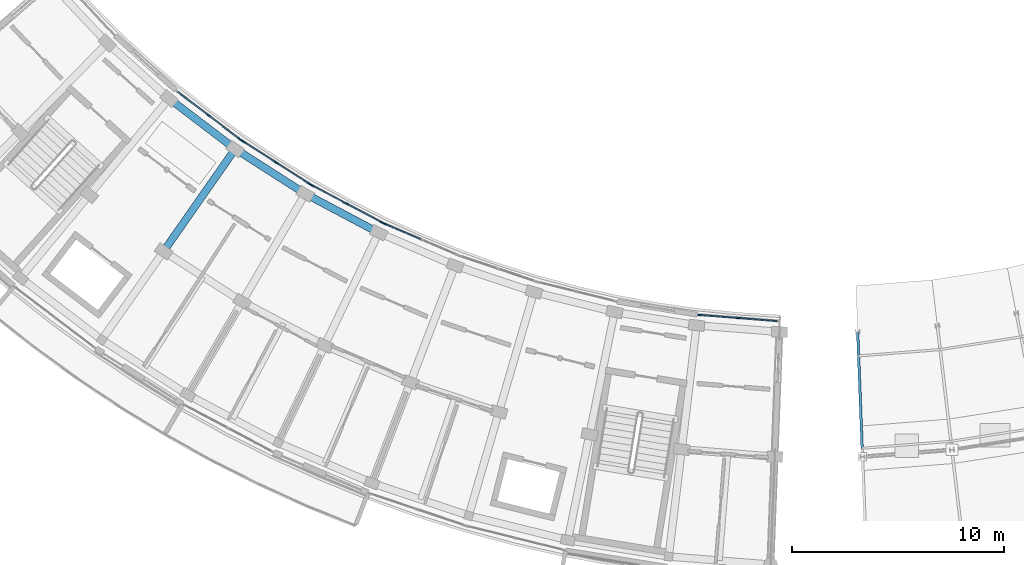
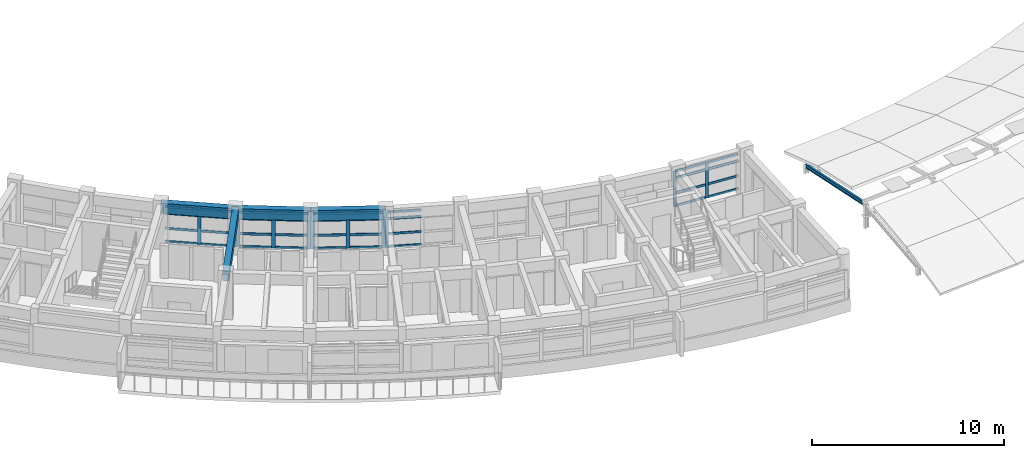
# One storey, part 18 of 50: 47 members, 5 beams, 5 elements without a shape of their own.
"""IFC4 building model written with IfcOpenShell, lengths in metres."""

from ifc_helpers import new_model, si_unit, direction, frame, origin, origin_2d, place, context, subcontext, project, spatial, rectangle, i_section, extrude, material, material_profile, profile_set, type_object, element, aggregate, save


model = new_model("IFC4")

# Units and contexts
model_context = context("Model", 3, precision=1e-05, world=origin(), true_north=direction((0.0, 1.0)))
body_context = subcontext(model_context, "Body", "Model", "MODEL_VIEW")
ifc_project = project(units=[si_unit("LENGTHUNIT", "METRE"), si_unit("AREAUNIT", "SQUARE_METRE"), si_unit("VOLUMEUNIT", "CUBIC_METRE"), si_unit("PLANEANGLEUNIT", "RADIAN"), si_unit("MASSUNIT", "GRAM", prefix="KILO")], contexts=[model_context])

# Site, building, storey
site_placement = place(None, origin())
site = spatial("IfcSite", under=ifc_project, at=site_placement, CompositionType="ELEMENT")
building_placement = place(site_placement, origin())
building = spatial("IfcBuilding", under=site, at=building_placement, Name="Zimvara Arc Housing Community", CompositionType="ELEMENT")
storey_placement = place(building_placement, frame((0.0, 0.0, 26.699951171875)))
storey = spatial("IfcBuildingStorey", under=building, at=storey_placement, Name="L08", CompositionType="ELEMENT", Elevation=26.699951171875)

# Beams
ifc_material_1 = material(Name="Concrete C40/50", Category="concrete")
ifc_material_profile_1 = material_profile(ifc_material_1, rectangle(XDim=0.35009765625, YDim=0.60009765625, at=origin_2d()), Name="RC 350x600")
ifc_profile_set_1 = profile_set([ifc_material_profile_1], Name="Concrete C40/50")
beam_type_1 = type_object("IfcBeamType", Name="BM-RC-350x600", PredefinedType="BEAM", material=ifc_profile_set_1)
beam_1_placement = place(storey_placement, frame((98.521728515625, 70.587158203125, 2.580078125), z_axis=(-0.57300805165, -0.81954973781, 0.0), x_axis=(0.81954973781, -0.57300805165, 0.0)))
element("IfcBeam", 1, at=beam_1_placement, inside=storey, type_object=beam_type_1, Name="bm:blkC:L08:rad:b3:r12", PredefinedType="BEAM", context=body_context, shape_type="SweptSolid", body=[
    extrude(rectangle(XDim=0.35009765625, YDim=0.60009765625, at=origin_2d()), origin(), (0.0, 0.0, 1.0), 5.880126953125),
])
ifc_material_2 = material(Name="Concrete C40/50", Category="concrete")
ifc_material_profile_2 = material_profile(ifc_material_2, rectangle(XDim=0.35009765625, YDim=0.64990234375, at=origin_2d()), Name="RC 350x650")
ifc_profile_set_2 = profile_set([ifc_material_profile_2], Name="Concrete C40/50")
beam_type_2 = type_object("IfcBeamType", Name="BM-RC-350x650", PredefinedType="BEAM", material=ifc_profile_set_2)
for number, where, z_axis, x_axis, name in (
    (2, (95.408935546875, 72.958251953125, 2.554931640625), (0.795500462697, -0.605952979899, 0.0), (0.605952979899, 0.795500462697, 0.0), "bm:blkC:L08:chord:r1:b2"),
    (3, (98.521728515625, 70.587158203125, 2.554931640625), (0.842224940184, -0.53912628403, 0.0), (0.53912628403, 0.842224940184, 0.0), "bm:blkC:L08:chord:r1:b3"),
    (4, (101.8173828125, 68.4775390625, 2.554931640625), (0.883464449706, -0.468498202884, 0.0), (0.468498202884, 0.883464449706, 0.0), "bm:blkC:L08:chord:r1:b4"),
):
    element("IfcBeam", number, at=place(storey_placement, frame(where, z_axis=z_axis, x_axis=x_axis)), inside=storey, type_object=beam_type_2, Name=name, PredefinedType="BEAM", context=body_context, shape_type="SweptSolid", body=[
        extrude(rectangle(XDim=0.35009765625, YDim=0.64990234375, at=origin_2d()), origin(), (0.0, 0.0, 1.0), 3.9130859375),
    ])
ifc_material_3 = material(Name="Steel S355", Category="steel")
ifc_material_profile_3 = material_profile(ifc_material_3, i_section(OverallWidth=0.1201171875, OverallDepth=0.239990234375, WebThickness=0.006103515625, FlangeThickness=0.009765625, FilletRadius=0.014892578125, at=origin_2d()), Name="IPE 240")
ifc_profile_set_3 = profile_set([ifc_material_profile_3], Name="Steel S355")
beam_type_3 = type_object("IfcBeamType", Name="BM-ST-IPE240", PredefinedType="JOIST", material=ifc_profile_set_3)
beam_2_placement = place(storey_placement, frame((127.819580078125, 61.975341796875, 0.462646484375), z_axis=(0.037858296686, -0.985106258315, 0.167727186826), x_axis=(0.999262358654, 0.038402325152, 0.0)))
element("IfcBeam", 5, at=beam_2_placement, inside=storey, type_object=beam_type_3, Name="bm:blkD:L08:rf_in:g0", PredefinedType="JOIST", context=body_context, shape_type="SweptSolid", body=[
    extrude(i_section(OverallWidth=0.1201171875, OverallDepth=0.239990234375, WebThickness=0.006103515625, FlangeThickness=0.009765625, FilletRadius=0.014892578125, at=origin_2d()), origin(), (0.0, 0.0, 1.0), 5.558837890625),
])

# Curtain wall, members
ifc_material_4 = material(Name="Anodised Aluminium AW-6063", Category="aluminium")
curtain_wall_type_1 = type_object("IfcCurtainWallType", Name="CW-SYS-02", PredefinedType="USERDEFINED", material=ifc_material_4)
curtain_wall_1_placement = place(storey_placement, origin())
curtain_wall_1 = element("IfcCurtainWall", 6, at=curtain_wall_1_placement, inside=storey, type_object=curtain_wall_type_1, Name="cw:blkC:L08:in:b2", ObjectType="CURTAIN WALL", PredefinedType="USERDEFINED")
ifc_material_5 = material(Name="Anodised Aluminium AW-6063", Category="aluminium")
ifc_material_profile_4 = material_profile(ifc_material_5, rectangle(XDim=0.06494140625, YDim=0.179931640625, at=origin_2d()), Name="ALU 65x180")
ifc_profile_set_4 = profile_set([ifc_material_profile_4], Name="Anodised Aluminium AW-6063")
member_type_1 = type_object("IfcMemberType", Name="CWM-65x150", PredefinedType="MULLION", material=ifc_profile_set_4)
member_1_placement = place(storey_placement, frame((97.26806640625, 72.170166015625, 0.0), z_axis=(0.0, 0.0, 1.0), x_axis=(0.605987809503, 0.795473930895, 0.0)))
member_1 = element("IfcMember", 7, at=member_1_placement, type_object=member_type_1, Name="CW02 mullion 2", PredefinedType="MULLION", context=body_context, shape_type="SweptSolid", body=[
    extrude(rectangle(XDim=0.06494140625, YDim=0.179931640625, at=origin_2d()), origin(), (0.0, 0.0, 1.0), 2.25),
])
member_2_placement = place(storey_placement, frame((98.734619140625, 71.052978515625, 0.0), z_axis=(0.0, 0.0, 1.0), x_axis=(0.605987809503, 0.795473930895, 0.0)))
member_2 = element("IfcMember", 8, at=member_2_placement, type_object=member_type_1, Name="CW02 mullion 3", PredefinedType="MULLION", context=body_context, shape_type="SweptSolid", body=[
    extrude(rectangle(XDim=0.06494140625, YDim=0.179931640625, at=origin_2d()), origin(), (0.0, 0.0, 1.0), 2.25),
])

# Curtain wall, member
ifc_material_6 = material(Name="Anodised Aluminium AW-6063", Category="aluminium")
curtain_wall_type_2 = type_object("IfcCurtainWallType", Name="CW-SYS-06", PredefinedType="USERDEFINED", material=ifc_material_6)
curtain_wall_2_placement = place(storey_placement, origin())
curtain_wall_2 = element("IfcCurtainWall", 9, at=curtain_wall_2_placement, inside=storey, type_object=curtain_wall_type_2, Name="cw:blkC:L08:in:b5", ObjectType="CURTAIN WALL", PredefinedType="USERDEFINED")
member_3_placement = place(storey_placement, frame((105.575439453125, 67.05859375, 0.0), z_axis=(0.0, 0.0, 1.0), x_axis=(0.394903951674, 0.918722411261, 0.0)))
member_3 = element("IfcMember", 10, at=member_3_placement, type_object=member_type_1, Name="CW06 mullion 1", PredefinedType="MULLION", context=body_context, shape_type="SweptSolid", body=[
    extrude(rectangle(XDim=0.06494140625, YDim=0.179931640625, at=origin_2d()), origin(), (0.0, 0.0, 1.0), 2.25),
])

# Curtain wall, members
ifc_material_7 = material(Name="Anodised Aluminium AW-6063", Category="aluminium")
curtain_wall_type_3 = type_object("IfcCurtainWallType", Name="CW-SYS-04", PredefinedType="USERDEFINED", material=ifc_material_7)
curtain_wall_3_placement = place(storey_placement, origin())
curtain_wall_3 = element("IfcCurtainWall", 11, at=curtain_wall_3_placement, inside=storey, type_object=curtain_wall_type_3, Name="cw:blkC:L08:in:b9", ObjectType="CURTAIN WALL", PredefinedType="USERDEFINED")
member_4_placement = place(storey_placement, frame((120.391845703125, 62.774169921875, 0.0), z_axis=(0.0, 0.0, 1.0), x_axis=(0.079155101851, 0.996862312384, 0.0)))
member_4 = element("IfcMember", 12, at=member_4_placement, type_object=member_type_1, Name="CW04 mullion 1", PredefinedType="MULLION", context=body_context, shape_type="SweptSolid", body=[
    extrude(rectangle(XDim=0.06494140625, YDim=0.179931640625, at=origin_2d()), origin(), (0.0, 0.0, 1.0), 2.25),
])
member_5_placement = place(storey_placement, frame((122.2294921875, 62.628173828125, 0.0), z_axis=(0.0, 0.0, 1.0), x_axis=(0.079155101851, 0.996862312384, 0.0)))
member_5 = element("IfcMember", 13, at=member_5_placement, type_object=member_type_1, Name="CW04 mullion 2", PredefinedType="MULLION", context=body_context, shape_type="SweptSolid", body=[
    extrude(rectangle(XDim=0.06494140625, YDim=0.179931640625, at=origin_2d()), origin(), (0.0, 0.0, 1.0), 2.25),
])

ifc_material_8 = material(Name="Anodised Aluminium AW-6063", Category="aluminium")
curtain_wall_type_4 = type_object("IfcCurtainWallType", Name="CW-SYS-03", PredefinedType="USERDEFINED", material=ifc_material_8)
curtain_wall_4_placement = place(storey_placement, origin())
curtain_wall_4 = element("IfcCurtainWall", 14, at=curtain_wall_4_placement, inside=storey, type_object=curtain_wall_type_4, Name="cw:blkC:L08:in:b3", ObjectType="CURTAIN WALL", PredefinedType="USERDEFINED")
ifc_material_9 = material(Name="Anodised Aluminium AW-6063", Category="aluminium")
ifc_material_profile_5 = material_profile(ifc_material_9, rectangle(XDim=0.06494140625, YDim=0.195068359375, at=origin_2d()), Name="ALU 65x195")
ifc_profile_set_5 = profile_set([ifc_material_profile_5], Name="Anodised Aluminium AW-6063")
member_type_2 = type_object("IfcMemberType", Name="CWM-65x180", PredefinedType="MULLION", material=ifc_profile_set_5)
member_6_placement = place(storey_placement, frame((98.885986328125, 70.947021484375, 0.0), z_axis=(0.0, 0.0, 1.0), x_axis=(0.539065115913, 0.842264092079, 0.0)))
member_6 = element("IfcMember", 15, at=member_6_placement, type_object=member_type_2, Name="CW03 mullion 1", PredefinedType="MULLION", context=body_context, shape_type="SweptSolid", body=[
    extrude(rectangle(XDim=0.06494140625, YDim=0.195068359375, at=origin_2d()), origin(), (0.0, 0.0, 1.0), 2.25),
])
member_7_placement = place(storey_placement, frame((100.43896484375, 69.953125, 0.0), z_axis=(0.0, 0.0, 1.0), x_axis=(0.539065115913, 0.842264092079, 0.0)))
member_7 = element("IfcMember", 16, at=member_7_placement, type_object=member_type_2, Name="CW03 mullion 2", PredefinedType="MULLION", context=body_context, shape_type="SweptSolid", body=[
    extrude(rectangle(XDim=0.06494140625, YDim=0.195068359375, at=origin_2d()), origin(), (0.0, 0.0, 1.0), 2.25),
])
member_8_placement = place(storey_placement, frame((101.99169921875, 68.959228515625, 0.0), z_axis=(0.0, 0.0, 1.0), x_axis=(0.539065115913, 0.842264092079, 0.0)))
member_8 = element("IfcMember", 17, at=member_8_placement, type_object=member_type_2, Name="CW03 mullion 3", PredefinedType="MULLION", context=body_context, shape_type="SweptSolid", body=[
    extrude(rectangle(XDim=0.06494140625, YDim=0.195068359375, at=origin_2d()), origin(), (0.0, 0.0, 1.0), 2.25),
])

ifc_material_10 = material(Name="Anodised Aluminium AW-6063", Category="aluminium")
curtain_wall_type_5 = type_object("IfcCurtainWallType", Name="CW-SYS-05", PredefinedType="USERDEFINED", material=ifc_material_10)
curtain_wall_5_placement = place(storey_placement, origin())
curtain_wall_5 = element("IfcCurtainWall", 18, at=curtain_wall_5_placement, inside=storey, type_object=curtain_wall_type_5, Name="cw:blkC:L08:in:b4", ObjectType="CURTAIN WALL", PredefinedType="USERDEFINED")
member_9_placement = place(storey_placement, frame((102.1513671875, 68.8662109375, 0.0), z_axis=(0.0, 0.0, 1.0), x_axis=(0.468547099195, 0.883438518424, 0.0)))
member_9 = element("IfcMember", 19, at=member_9_placement, type_object=member_type_2, Name="CW05 mullion 1", PredefinedType="MULLION", context=body_context, shape_type="SweptSolid", body=[
    extrude(rectangle(XDim=0.06494140625, YDim=0.195068359375, at=origin_2d()), origin(), (0.0, 0.0, 1.0), 2.25),
])
member_10_placement = place(storey_placement, frame((103.780029296875, 68.002197265625, 0.0), z_axis=(0.0, 0.0, 1.0), x_axis=(0.468547099195, 0.883438518424, 0.0)))
member_10 = element("IfcMember", 20, at=member_10_placement, type_object=member_type_2, Name="CW05 mullion 2", PredefinedType="MULLION", context=body_context, shape_type="SweptSolid", body=[
    extrude(rectangle(XDim=0.06494140625, YDim=0.195068359375, at=origin_2d()), origin(), (0.0, 0.0, 1.0), 2.25),
])
member_11_placement = place(storey_placement, frame((105.40869140625, 67.138427734375, 0.0), z_axis=(0.0, 0.0, 1.0), x_axis=(0.468547099195, 0.883438518424, 0.0)))
member_11 = element("IfcMember", 21, at=member_11_placement, type_object=member_type_2, Name="CW05 mullion 3", PredefinedType="MULLION", context=body_context, shape_type="SweptSolid", body=[
    extrude(rectangle(XDim=0.06494140625, YDim=0.195068359375, at=origin_2d()), origin(), (0.0, 0.0, 1.0), 2.25),
])

# Member
ifc_material_11 = material(Name="Anodised Aluminium AW-6063", Category="aluminium")
ifc_material_profile_6 = material_profile(ifc_material_11, rectangle(XDim=0.06494140625, YDim=0.139892578125, at=origin_2d()), Name="ALU 65x140")
ifc_profile_set_6 = profile_set([ifc_material_profile_6], Name="Anodised Aluminium AW-6063")
member_type_3 = type_object("IfcMemberType", Name="CWT-65x120", PredefinedType="USERDEFINED", material=ifc_profile_set_6)
member_12_placement = place(storey_placement, frame((95.827392578125, 73.267578125, 0.032470703125), z_axis=(0.79544747465, -0.60602253677, 0.0), x_axis=(0.60602253677, 0.79544747465, 0.0)))
member_12 = element("IfcMember", 22, at=member_12_placement, type_object=member_type_3, Name="CW02 transom 1.1", ObjectType="TRANSOM", PredefinedType="USERDEFINED", context=body_context, shape_type="SweptSolid", body=[
    extrude(rectangle(XDim=0.06494140625, YDim=0.139892578125, at=origin_2d()), origin(), (0.0, 0.0, 1.0), 1.778564453125),
])

member_13_placement = place(storey_placement, frame((95.827392578125, 73.267578125, 0.85009765625), z_axis=(0.79544747465, -0.60602253677, 0.0), x_axis=(0.60602253677, 0.79544747465, 0.0)))
member_13 = element("IfcMember", 23, at=member_13_placement, type_object=member_type_3, Name="CW02 transom 1.2", ObjectType="TRANSOM", PredefinedType="USERDEFINED", context=body_context, shape_type="SweptSolid", body=[
    extrude(rectangle(XDim=0.06494140625, YDim=0.139892578125, at=origin_2d()), origin(), (0.0, 0.0, 1.0), 1.778564453125),
])

member_14_placement = place(storey_placement, frame((95.827392578125, 73.267578125, 1.800048828125), z_axis=(0.79544747465, -0.60602253677, 0.0), x_axis=(0.60602253677, 0.79544747465, 0.0)))
member_14 = element("IfcMember", 24, at=member_14_placement, type_object=member_type_3, Name="CW02 transom 1.3", ObjectType="TRANSOM", PredefinedType="USERDEFINED", context=body_context, shape_type="SweptSolid", body=[
    extrude(rectangle(XDim=0.06494140625, YDim=0.139892578125, at=origin_2d()), origin(), (0.0, 0.0, 1.0), 1.778564453125),
])

member_15_placement = place(storey_placement, frame((95.827392578125, 73.267578125, 2.217529296875), z_axis=(0.79544747465, -0.60602253677, 0.0), x_axis=(0.60602253677, 0.79544747465, 0.0)))
member_15 = element("IfcMember", 25, at=member_15_placement, type_object=member_type_3, Name="CW02 transom 1.4", ObjectType="TRANSOM", PredefinedType="USERDEFINED", context=body_context, shape_type="SweptSolid", body=[
    extrude(rectangle(XDim=0.06494140625, YDim=0.139892578125, at=origin_2d()), origin(), (0.0, 0.0, 1.0), 1.778564453125),
])

member_16_placement = place(storey_placement, frame((97.2939453125, 72.150390625, 0.032470703125), z_axis=(0.79544747465, -0.60602253677, 0.0), x_axis=(0.60602253677, 0.79544747465, 0.0)))
member_16 = element("IfcMember", 26, at=member_16_placement, type_object=member_type_3, Name="CW02 transom 2.1", ObjectType="TRANSOM", PredefinedType="USERDEFINED", context=body_context, shape_type="SweptSolid", body=[
    extrude(rectangle(XDim=0.06494140625, YDim=0.139892578125, at=origin_2d()), origin(), (0.0, 0.0, 1.0), 1.778564453125),
])

member_17_placement = place(storey_placement, frame((97.2939453125, 72.150390625, 0.85009765625), z_axis=(0.79544747465, -0.60602253677, 0.0), x_axis=(0.60602253677, 0.79544747465, 0.0)))
member_17 = element("IfcMember", 27, at=member_17_placement, type_object=member_type_3, Name="CW02 transom 2.2", ObjectType="TRANSOM", PredefinedType="USERDEFINED", context=body_context, shape_type="SweptSolid", body=[
    extrude(rectangle(XDim=0.06494140625, YDim=0.139892578125, at=origin_2d()), origin(), (0.0, 0.0, 1.0), 1.778564453125),
])

member_18_placement = place(storey_placement, frame((97.2939453125, 72.150390625, 1.800048828125), z_axis=(0.79544747465, -0.60602253677, 0.0), x_axis=(0.60602253677, 0.79544747465, 0.0)))
member_18 = element("IfcMember", 28, at=member_18_placement, type_object=member_type_3, Name="CW02 transom 2.3", ObjectType="TRANSOM", PredefinedType="USERDEFINED", context=body_context, shape_type="SweptSolid", body=[
    extrude(rectangle(XDim=0.06494140625, YDim=0.139892578125, at=origin_2d()), origin(), (0.0, 0.0, 1.0), 1.778564453125),
])

member_19_placement = place(storey_placement, frame((97.2939453125, 72.150390625, 2.217529296875), z_axis=(0.79544747465, -0.60602253677, 0.0), x_axis=(0.60602253677, 0.79544747465, 0.0)))
member_19 = element("IfcMember", 29, at=member_19_placement, type_object=member_type_3, Name="CW02 transom 2.4", ObjectType="TRANSOM", PredefinedType="USERDEFINED", context=body_context, shape_type="SweptSolid", body=[
    extrude(rectangle(XDim=0.06494140625, YDim=0.139892578125, at=origin_2d()), origin(), (0.0, 0.0, 1.0), 1.778564453125),
])

aggregate(curtain_wall_1, [member_1, member_2, member_12, member_13, member_14, member_15, member_16, member_17, member_18, member_19])

member_20_placement = place(storey_placement, frame((105.605224609375, 67.045654296875, 0.032470703125), z_axis=(0.918739899324, -0.39486326417, 0.0), x_axis=(0.39486326417, 0.918739899324, 0.0)))
member_20 = element("IfcMember", 30, at=member_20_placement, type_object=member_type_3, Name="CW06 transom 1.1", ObjectType="TRANSOM", PredefinedType="USERDEFINED", context=body_context, shape_type="SweptSolid", body=[
    extrude(rectangle(XDim=0.06494140625, YDim=0.139892578125, at=origin_2d()), origin(), (0.0, 0.0, 1.0), 1.77880859375),
])

member_21_placement = place(storey_placement, frame((105.605224609375, 67.045654296875, 0.85009765625), z_axis=(0.918739899324, -0.39486326417, 0.0), x_axis=(0.39486326417, 0.918739899324, 0.0)))
member_21 = element("IfcMember", 31, at=member_21_placement, type_object=member_type_3, Name="CW06 transom 1.2", ObjectType="TRANSOM", PredefinedType="USERDEFINED", context=body_context, shape_type="SweptSolid", body=[
    extrude(rectangle(XDim=0.06494140625, YDim=0.139892578125, at=origin_2d()), origin(), (0.0, 0.0, 1.0), 1.77880859375),
])

member_22_placement = place(storey_placement, frame((105.605224609375, 67.045654296875, 1.800048828125), z_axis=(0.918739899324, -0.39486326417, 0.0), x_axis=(0.39486326417, 0.918739899324, 0.0)))
member_22 = element("IfcMember", 32, at=member_22_placement, type_object=member_type_3, Name="CW06 transom 1.3", ObjectType="TRANSOM", PredefinedType="USERDEFINED", context=body_context, shape_type="SweptSolid", body=[
    extrude(rectangle(XDim=0.06494140625, YDim=0.139892578125, at=origin_2d()), origin(), (0.0, 0.0, 1.0), 1.77880859375),
])

member_23_placement = place(storey_placement, frame((105.605224609375, 67.045654296875, 2.217529296875), z_axis=(0.918739899324, -0.39486326417, 0.0), x_axis=(0.39486326417, 0.918739899324, 0.0)))
member_23 = element("IfcMember", 33, at=member_23_placement, type_object=member_type_3, Name="CW06 transom 1.4", ObjectType="TRANSOM", PredefinedType="USERDEFINED", context=body_context, shape_type="SweptSolid", body=[
    extrude(rectangle(XDim=0.06494140625, YDim=0.139892578125, at=origin_2d()), origin(), (0.0, 0.0, 1.0), 1.77880859375),
])

aggregate(curtain_wall_2, [member_3, member_20, member_21, member_22, member_23])

member_24_placement = place(storey_placement, frame((120.424072265625, 62.771484375, 0.032470703125), z_axis=(0.996870030117, -0.079057846255, 0.0), x_axis=(0.079057846255, 0.996870030117, 0.0)))
member_24 = element("IfcMember", 34, at=member_24_placement, type_object=member_type_3, Name="CW04 transom 1.1", ObjectType="TRANSOM", PredefinedType="USERDEFINED", context=body_context, shape_type="SweptSolid", body=[
    extrude(rectangle(XDim=0.06494140625, YDim=0.139892578125, at=origin_2d()), origin(), (0.0, 0.0, 1.0), 1.77880859375),
])

member_25_placement = place(storey_placement, frame((120.424072265625, 62.771484375, 0.85009765625), z_axis=(0.996870030117, -0.079057846255, 0.0), x_axis=(0.079057846255, 0.996870030117, 0.0)))
member_25 = element("IfcMember", 35, at=member_25_placement, type_object=member_type_3, Name="CW04 transom 1.2", ObjectType="TRANSOM", PredefinedType="USERDEFINED", context=body_context, shape_type="SweptSolid", body=[
    extrude(rectangle(XDim=0.06494140625, YDim=0.139892578125, at=origin_2d()), origin(), (0.0, 0.0, 1.0), 1.77880859375),
])

member_26_placement = place(storey_placement, frame((120.424072265625, 62.771484375, 1.800048828125), z_axis=(0.996870030117, -0.079057846255, 0.0), x_axis=(0.079057846255, 0.996870030117, 0.0)))
member_26 = element("IfcMember", 36, at=member_26_placement, type_object=member_type_3, Name="CW04 transom 1.3", ObjectType="TRANSOM", PredefinedType="USERDEFINED", context=body_context, shape_type="SweptSolid", body=[
    extrude(rectangle(XDim=0.06494140625, YDim=0.139892578125, at=origin_2d()), origin(), (0.0, 0.0, 1.0), 1.77880859375),
])

member_27_placement = place(storey_placement, frame((120.424072265625, 62.771484375, 2.217529296875), z_axis=(0.996870030117, -0.079057846255, 0.0), x_axis=(0.079057846255, 0.996870030117, 0.0)))
member_27 = element("IfcMember", 37, at=member_27_placement, type_object=member_type_3, Name="CW04 transom 1.4", ObjectType="TRANSOM", PredefinedType="USERDEFINED", context=body_context, shape_type="SweptSolid", body=[
    extrude(rectangle(XDim=0.06494140625, YDim=0.139892578125, at=origin_2d()), origin(), (0.0, 0.0, 1.0), 1.77880859375),
])

member_28_placement = place(storey_placement, frame((122.261962890625, 62.625732421875, 0.032470703125), z_axis=(0.996859203924, -0.079194239386, 0.0), x_axis=(0.079194239386, 0.996859203924, 0.0)))
member_28 = element("IfcMember", 38, at=member_28_placement, type_object=member_type_3, Name="CW04 transom 2.1", ObjectType="TRANSOM", PredefinedType="USERDEFINED", context=body_context, shape_type="SweptSolid", body=[
    extrude(rectangle(XDim=0.06494140625, YDim=0.139892578125, at=origin_2d()), origin(), (0.0, 0.0, 1.0), 1.77880859375),
])

member_29_placement = place(storey_placement, frame((122.261962890625, 62.625732421875, 0.85009765625), z_axis=(0.996859203924, -0.079194239386, 0.0), x_axis=(0.079194239386, 0.996859203924, 0.0)))
member_29 = element("IfcMember", 39, at=member_29_placement, type_object=member_type_3, Name="CW04 transom 2.2", ObjectType="TRANSOM", PredefinedType="USERDEFINED", context=body_context, shape_type="SweptSolid", body=[
    extrude(rectangle(XDim=0.06494140625, YDim=0.139892578125, at=origin_2d()), origin(), (0.0, 0.0, 1.0), 1.77880859375),
])

member_30_placement = place(storey_placement, frame((122.261962890625, 62.625732421875, 1.800048828125), z_axis=(0.996859203924, -0.079194239386, 0.0), x_axis=(0.079194239386, 0.996859203924, 0.0)))
member_30 = element("IfcMember", 40, at=member_30_placement, type_object=member_type_3, Name="CW04 transom 2.3", ObjectType="TRANSOM", PredefinedType="USERDEFINED", context=body_context, shape_type="SweptSolid", body=[
    extrude(rectangle(XDim=0.06494140625, YDim=0.139892578125, at=origin_2d()), origin(), (0.0, 0.0, 1.0), 1.77880859375),
])

member_31_placement = place(storey_placement, frame((122.261962890625, 62.625732421875, 2.217529296875), z_axis=(0.996859203924, -0.079194239386, 0.0), x_axis=(0.079194239386, 0.996859203924, 0.0)))
member_31 = element("IfcMember", 41, at=member_31_placement, type_object=member_type_3, Name="CW04 transom 2.4", ObjectType="TRANSOM", PredefinedType="USERDEFINED", context=body_context, shape_type="SweptSolid", body=[
    extrude(rectangle(XDim=0.06494140625, YDim=0.139892578125, at=origin_2d()), origin(), (0.0, 0.0, 1.0), 1.77880859375),
])

aggregate(curtain_wall_3, [member_4, member_5, member_24, member_25, member_26, member_27, member_28, member_29, member_30, member_31])

ifc_material_12 = material(Name="Anodised Aluminium AW-6063", Category="aluminium")
ifc_material_profile_7 = material_profile(ifc_material_12, rectangle(XDim=0.06494140625, YDim=0.155029296875, at=origin_2d()), Name="ALU 65x155")
ifc_profile_set_7 = profile_set([ifc_material_profile_7], Name="Anodised Aluminium AW-6063")
member_type_4 = type_object("IfcMemberType", Name="CWT-65x140", PredefinedType="USERDEFINED", material=ifc_profile_set_7)
member_32_placement = place(storey_placement, frame((98.913330078125, 70.929443359375, 0.032470703125), z_axis=(0.842273893594, -0.539049801197, 0.0), x_axis=(0.539049801197, 0.842273893594, 0.0)))
member_32 = element("IfcMember", 42, at=member_32_placement, type_object=member_type_4, Name="CW03 transom 1.1", ObjectType="TRANSOM", PredefinedType="USERDEFINED", context=body_context, shape_type="SweptSolid", body=[
    extrude(rectangle(XDim=0.06494140625, YDim=0.155029296875, at=origin_2d()), origin(), (0.0, 0.0, 1.0), 1.778564453125),
])

member_33_placement = place(storey_placement, frame((98.913330078125, 70.929443359375, 0.85009765625), z_axis=(0.842273893594, -0.539049801197, 0.0), x_axis=(0.539049801197, 0.842273893594, 0.0)))
member_33 = element("IfcMember", 43, at=member_33_placement, type_object=member_type_4, Name="CW03 transom 1.2", ObjectType="TRANSOM", PredefinedType="USERDEFINED", context=body_context, shape_type="SweptSolid", body=[
    extrude(rectangle(XDim=0.06494140625, YDim=0.155029296875, at=origin_2d()), origin(), (0.0, 0.0, 1.0), 1.778564453125),
])

member_34_placement = place(storey_placement, frame((98.913330078125, 70.929443359375, 1.800048828125), z_axis=(0.842273893594, -0.539049801197, 0.0), x_axis=(0.539049801197, 0.842273893594, 0.0)))
member_34 = element("IfcMember", 44, at=member_34_placement, type_object=member_type_4, Name="CW03 transom 1.3", ObjectType="TRANSOM", PredefinedType="USERDEFINED", context=body_context, shape_type="SweptSolid", body=[
    extrude(rectangle(XDim=0.06494140625, YDim=0.155029296875, at=origin_2d()), origin(), (0.0, 0.0, 1.0), 1.778564453125),
])

member_35_placement = place(storey_placement, frame((98.913330078125, 70.929443359375, 2.217529296875), z_axis=(0.842273893594, -0.539049801197, 0.0), x_axis=(0.539049801197, 0.842273893594, 0.0)))
member_35 = element("IfcMember", 45, at=member_35_placement, type_object=member_type_4, Name="CW03 transom 1.4", ObjectType="TRANSOM", PredefinedType="USERDEFINED", context=body_context, shape_type="SweptSolid", body=[
    extrude(rectangle(XDim=0.06494140625, YDim=0.155029296875, at=origin_2d()), origin(), (0.0, 0.0, 1.0), 1.778564453125),
])

member_36_placement = place(storey_placement, frame((100.46630859375, 69.935546875, 0.032470703125), z_axis=(0.842273893594, -0.539049801197, 0.0), x_axis=(0.539049801197, 0.842273893594, 0.0)))
member_36 = element("IfcMember", 46, at=member_36_placement, type_object=member_type_4, Name="CW03 transom 2.1", ObjectType="TRANSOM", PredefinedType="USERDEFINED", context=body_context, shape_type="SweptSolid", body=[
    extrude(rectangle(XDim=0.06494140625, YDim=0.155029296875, at=origin_2d()), origin(), (0.0, 0.0, 1.0), 1.778564453125),
])

member_37_placement = place(storey_placement, frame((100.46630859375, 69.935546875, 0.85009765625), z_axis=(0.842273893594, -0.539049801197, 0.0), x_axis=(0.539049801197, 0.842273893594, 0.0)))
member_37 = element("IfcMember", 47, at=member_37_placement, type_object=member_type_4, Name="CW03 transom 2.2", ObjectType="TRANSOM", PredefinedType="USERDEFINED", context=body_context, shape_type="SweptSolid", body=[
    extrude(rectangle(XDim=0.06494140625, YDim=0.155029296875, at=origin_2d()), origin(), (0.0, 0.0, 1.0), 1.778564453125),
])

member_38_placement = place(storey_placement, frame((100.46630859375, 69.935546875, 1.800048828125), z_axis=(0.842273893594, -0.539049801197, 0.0), x_axis=(0.539049801197, 0.842273893594, 0.0)))
member_38 = element("IfcMember", 48, at=member_38_placement, type_object=member_type_4, Name="CW03 transom 2.3", ObjectType="TRANSOM", PredefinedType="USERDEFINED", context=body_context, shape_type="SweptSolid", body=[
    extrude(rectangle(XDim=0.06494140625, YDim=0.155029296875, at=origin_2d()), origin(), (0.0, 0.0, 1.0), 1.778564453125),
])

member_39_placement = place(storey_placement, frame((100.46630859375, 69.935546875, 2.217529296875), z_axis=(0.842273893594, -0.539049801197, 0.0), x_axis=(0.539049801197, 0.842273893594, 0.0)))
member_39 = element("IfcMember", 49, at=member_39_placement, type_object=member_type_4, Name="CW03 transom 2.4", ObjectType="TRANSOM", PredefinedType="USERDEFINED", context=body_context, shape_type="SweptSolid", body=[
    extrude(rectangle(XDim=0.06494140625, YDim=0.155029296875, at=origin_2d()), origin(), (0.0, 0.0, 1.0), 1.778564453125),
])

aggregate(curtain_wall_4, [member_6, member_7, member_8, member_32, member_33, member_34, member_35, member_36, member_37, member_38, member_39])

member_40_placement = place(storey_placement, frame((102.179931640625, 68.850830078125, 0.032470703125), z_axis=(0.883463823767, -0.468499383238, 0.0), x_axis=(0.468499383238, 0.883463823767, 0.0)))
member_40 = element("IfcMember", 50, at=member_40_placement, type_object=member_type_4, Name="CW05 transom 1.1", ObjectType="TRANSOM", PredefinedType="USERDEFINED", context=body_context, shape_type="SweptSolid", body=[
    extrude(rectangle(XDim=0.06494140625, YDim=0.155029296875, at=origin_2d()), origin(), (0.0, 0.0, 1.0), 1.778564453125),
])

member_41_placement = place(storey_placement, frame((102.179931640625, 68.850830078125, 0.85009765625), z_axis=(0.883463823767, -0.468499383238, 0.0), x_axis=(0.468499383238, 0.883463823767, 0.0)))
member_41 = element("IfcMember", 51, at=member_41_placement, type_object=member_type_4, Name="CW05 transom 1.2", ObjectType="TRANSOM", PredefinedType="USERDEFINED", context=body_context, shape_type="SweptSolid", body=[
    extrude(rectangle(XDim=0.06494140625, YDim=0.155029296875, at=origin_2d()), origin(), (0.0, 0.0, 1.0), 1.778564453125),
])

member_42_placement = place(storey_placement, frame((102.179931640625, 68.850830078125, 1.800048828125), z_axis=(0.883463823767, -0.468499383238, 0.0), x_axis=(0.468499383238, 0.883463823767, 0.0)))
member_42 = element("IfcMember", 52, at=member_42_placement, type_object=member_type_4, Name="CW05 transom 1.3", ObjectType="TRANSOM", PredefinedType="USERDEFINED", context=body_context, shape_type="SweptSolid", body=[
    extrude(rectangle(XDim=0.06494140625, YDim=0.155029296875, at=origin_2d()), origin(), (0.0, 0.0, 1.0), 1.778564453125),
])

member_43_placement = place(storey_placement, frame((102.179931640625, 68.850830078125, 2.217529296875), z_axis=(0.883463823767, -0.468499383238, 0.0), x_axis=(0.468499383238, 0.883463823767, 0.0)))
member_43 = element("IfcMember", 53, at=member_43_placement, type_object=member_type_4, Name="CW05 transom 1.4", ObjectType="TRANSOM", PredefinedType="USERDEFINED", context=body_context, shape_type="SweptSolid", body=[
    extrude(rectangle(XDim=0.06494140625, YDim=0.155029296875, at=origin_2d()), origin(), (0.0, 0.0, 1.0), 1.778564453125),
])

member_44_placement = place(storey_placement, frame((103.808837890625, 67.987060546875, 0.032470703125), z_axis=(0.883407004942, -0.468606512566, 0.0), x_axis=(0.468606512566, 0.883407004942, 0.0)))
member_44 = element("IfcMember", 54, at=member_44_placement, type_object=member_type_4, Name="CW05 transom 2.1", ObjectType="TRANSOM", PredefinedType="USERDEFINED", context=body_context, shape_type="SweptSolid", body=[
    extrude(rectangle(XDim=0.06494140625, YDim=0.155029296875, at=origin_2d()), origin(), (0.0, 0.0, 1.0), 1.778564453125),
])

member_45_placement = place(storey_placement, frame((103.808837890625, 67.987060546875, 0.85009765625), z_axis=(0.883407004942, -0.468606512566, 0.0), x_axis=(0.468606512566, 0.883407004942, 0.0)))
member_45 = element("IfcMember", 55, at=member_45_placement, type_object=member_type_4, Name="CW05 transom 2.2", ObjectType="TRANSOM", PredefinedType="USERDEFINED", context=body_context, shape_type="SweptSolid", body=[
    extrude(rectangle(XDim=0.06494140625, YDim=0.155029296875, at=origin_2d()), origin(), (0.0, 0.0, 1.0), 1.778564453125),
])

member_46_placement = place(storey_placement, frame((103.808837890625, 67.987060546875, 1.800048828125), z_axis=(0.883407004942, -0.468606512566, 0.0), x_axis=(0.468606512566, 0.883407004942, 0.0)))
member_46 = element("IfcMember", 56, at=member_46_placement, type_object=member_type_4, Name="CW05 transom 2.3", ObjectType="TRANSOM", PredefinedType="USERDEFINED", context=body_context, shape_type="SweptSolid", body=[
    extrude(rectangle(XDim=0.06494140625, YDim=0.155029296875, at=origin_2d()), origin(), (0.0, 0.0, 1.0), 1.778564453125),
])

member_47_placement = place(storey_placement, frame((103.808837890625, 67.987060546875, 2.217529296875), z_axis=(0.883407004942, -0.468606512566, 0.0), x_axis=(0.468606512566, 0.883407004942, 0.0)))
member_47 = element("IfcMember", 57, at=member_47_placement, type_object=member_type_4, Name="CW05 transom 2.4", ObjectType="TRANSOM", PredefinedType="USERDEFINED", context=body_context, shape_type="SweptSolid", body=[
    extrude(rectangle(XDim=0.06494140625, YDim=0.155029296875, at=origin_2d()), origin(), (0.0, 0.0, 1.0), 1.778564453125),
])

aggregate(curtain_wall_5, [member_9, member_10, member_11, member_40, member_41, member_42, member_43, member_44, member_45, member_46, member_47])

save(model, "model.ifc")
